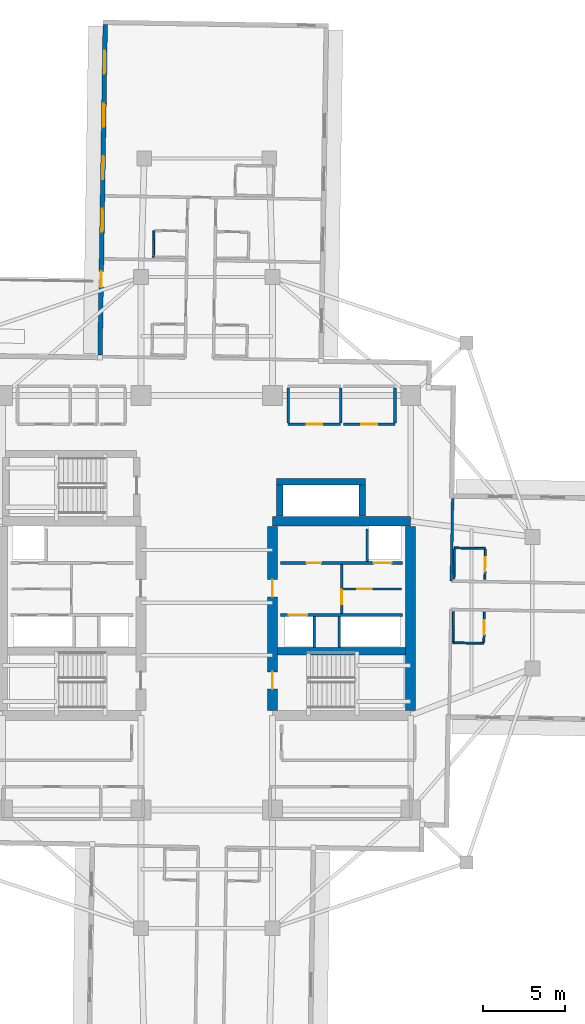
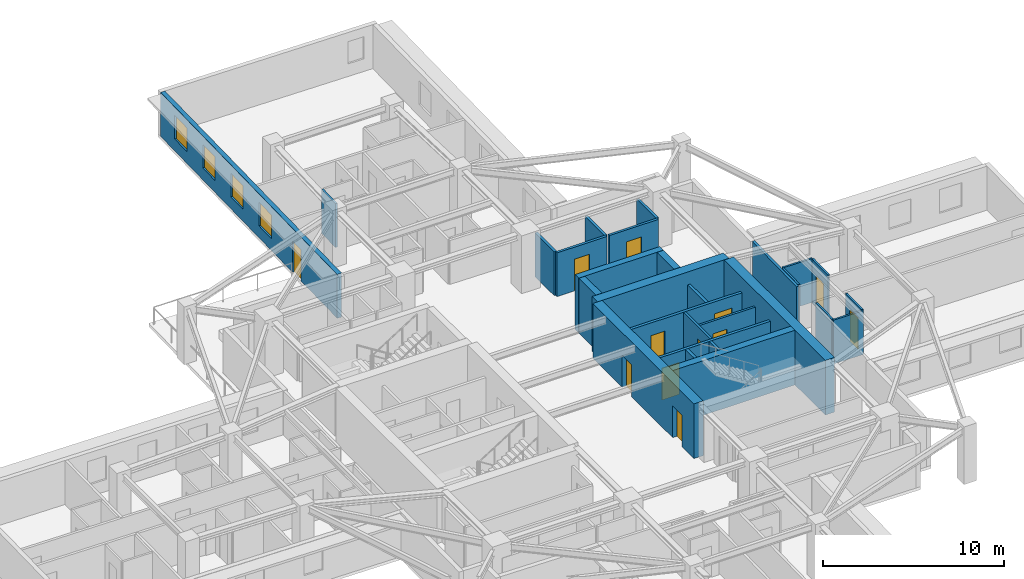
# One storey, part 6 of 13: 28 walls, 12 doors, 4 windows, 16 openings.
"""IFC4 building model written with IfcOpenShell, lengths in metres."""

from ifc_helpers import new_model, si_unit, direction, frame, frame_2d, origin, place, context, subcontext, project, spatial, rectangle, extrude, material, layer, layer_set, type_object, element, fill, save


model = new_model("IFC4")

# Units and contexts
model_context = context("Model", 3, precision=1e-05, world=origin(), true_north=direction((0.0, 1.0)))
body_context = subcontext(model_context, "Body", "Model", "MODEL_VIEW")
ifc_project = project(units=[si_unit("LENGTHUNIT", "METRE"), si_unit("AREAUNIT", "SQUARE_METRE"), si_unit("VOLUMEUNIT", "CUBIC_METRE"), si_unit("PLANEANGLEUNIT", "RADIAN"), si_unit("MASSUNIT", "GRAM", prefix="KILO")], contexts=[model_context])

# Site, building, storey
site_placement = place(None, origin())
site = spatial("IfcSite", under=ifc_project, at=site_placement, CompositionType="ELEMENT")
building_placement = place(site_placement, origin())
building = spatial("IfcBuilding", under=site, at=building_placement, Name="Qingluan Cross Belvedere", CompositionType="ELEMENT")
storey_placement = place(building_placement, frame((0.0, 0.0, 148.800048828125)))
storey = spatial("IfcBuildingStorey", under=building, at=storey_placement, Name="L37", CompositionType="ELEMENT", Elevation=148.800048828125)

# Walls
ifc_material_1 = material(Name="Concrete C50", Category="concrete")
ifc_layer_1 = layer(ifc_material_1, 0.449951171875, Name="CoreShearWall_450")
ifc_layer_set_1 = layer_set([ifc_layer_1], Name="Concrete C50")
wall_type_1 = type_object("IfcWallType", Name="CoreShearWall_450", PredefinedType="SHEAR", material=ifc_layer_set_1)
wall_1_placement = place(storey_placement, frame((4.304931640625, -2.9599609375, 0.0), z_axis=(0.0, 0.0, 1.0), x_axis=(1.0, 0.0, 0.0)))
element("IfcWall", 1, at=wall_1_placement, inside=storey, type_object=wall_type_1, Name="Split core E shear wall L37-M", PredefinedType="SHEAR", context=body_context, shape_type="SweptSolid", body=[
    extrude(rectangle(XDim=7.7900390625, YDim=0.449951171875, at=frame_2d((3.89501953125, 0.0))), origin(), (0.0, 0.0, 1.0), 3.699951171875),
])
wall_2_placement = place(storey_placement, frame((4.449951171875, 5.2548828125, 0.0), z_axis=(0.0, 0.0, 1.0), x_axis=(0.0, 1.0, 0.0)))
element("IfcWall", 2, at=wall_2_placement, inside=storey, type_object=wall_type_1, Name="Express shuttle core wall L37-W", PredefinedType="SHEAR", context=body_context, shape_type="SweptSolid", body=[
    extrude(rectangle(XDim=1.885009765625, YDim=0.39990234375, at=frame_2d((0.9423828125, 0.0))), origin(), (0.0, 0.0, 1.0), 3.699951171875),
])
wall_3_placement = place(storey_placement, frame((4.25, 7.35009765625, 0.0), z_axis=(0.0, 0.0, 1.0), x_axis=(1.0, 0.0, 0.0)))
element("IfcWall", 3, at=wall_3_placement, inside=storey, type_object=wall_type_1, Name="Express shuttle core wall L37-N", PredefinedType="SHEAR", context=body_context, shape_type="SweptSolid", body=[
    extrude(rectangle(XDim=5.39990234375, YDim=0.39990234375, at=frame_2d((2.699951171875, 0.0))), origin(), (0.0, 0.0, 1.0), 3.699951171875),
])
wall_4_placement = place(storey_placement, frame((9.449951171875, 5.2548828125, 0.0), z_axis=(0.0, 0.0, 1.0), x_axis=(0.0, 1.0, 0.0)))
element("IfcWall", 4, at=wall_4_placement, inside=storey, type_object=wall_type_1, Name="Express shuttle core wall L37-E", PredefinedType="SHEAR", context=body_context, shape_type="SweptSolid", body=[
    extrude(rectangle(XDim=1.885009765625, YDim=0.39990234375, at=frame_2d((0.9423828125, 0.0))), origin(), (0.0, 0.0, 1.0), 3.699951171875),
])
ifc_material_2 = material(Name="Concrete C60", Category="concrete")
ifc_layer_2 = layer(ifc_material_2, 0.60009765625, Name="CoreShearWall_600")
ifc_layer_set_2 = layer_set([ifc_layer_2], Name="Concrete C60")
wall_type_2 = type_object("IfcWallType", Name="CoreShearWall_600", PredefinedType="SHEAR", material=ifc_layer_set_2)
wall_5_placement = place(storey_placement, frame((4.0, 4.949951171875, 0.0), z_axis=(0.0, 0.0, 1.0), x_axis=(1.0, 0.0, 0.0)))
element("IfcWall", 5, at=wall_5_placement, inside=storey, type_object=wall_type_2, Name="Split core E shear wall L37-N", PredefinedType="SHEAR", context=body_context, shape_type="SweptSolid", body=[
    extrude(rectangle(XDim=8.39990234375, YDim=0.60009765625, at=frame_2d((4.199951171875, 0.0))), origin(), (0.0, 0.0, 1.0), 3.699951171875),
])

# Wall, openings, doors
wall_6_placement = place(storey_placement, frame((4.0, -6.544921875, 0.0), z_axis=(0.0, 0.0, 1.0), x_axis=(0.0, 1.0, 0.0)))
wall_6 = element("IfcWall", 6, at=wall_6_placement, inside=storey, type_object=wall_type_2, Name="Split core E shear wall L37-W", PredefinedType="SHEAR", context=body_context, shape_type="SweptSolid", body=[
    extrude(rectangle(XDim=11.18994140625, YDim=0.60009765625, at=frame_2d((5.594970703125, 0.0))), origin(), (0.0, 0.0, 1.0), 3.699951171875),
])
opening_1_placement = place(wall_6_placement, frame((1.294921875, 0.0, 0.0)))
opening_1 = element("IfcOpeningElement", 7, at=opening_1_placement, cuts=wall_6, Name="Opening FD-B11", PredefinedType="OPENING", context=body_context, shape_type="SweptSolid", body=[
    extrude(rectangle(XDim=1.050048828125, YDim=2.14990234375, at=frame_2d((0.52490234375, 1.074951171875))), frame((0.0, 0.31005859375, 0.0), z_axis=(0.0, -1.0, 0.0), x_axis=(1.0, 0.0, 0.0)), (0.0, 0.0, 1.0), 0.6201171875),
])
opening_2_placement = place(wall_6_placement, frame((6.89501953125, 0.0, 0.0)))
opening_2 = element("IfcOpeningElement", 8, at=opening_2_placement, cuts=wall_6, Name="Opening FD-B11", PredefinedType="OPENING", context=body_context, shape_type="SweptSolid", body=[
    extrude(rectangle(XDim=1.050048828125, YDim=2.14990234375, at=frame_2d((0.52490234375, 1.074951171875))), frame((0.0, 0.31005859375, 0.0), z_axis=(0.0, -1.0, 0.0), x_axis=(1.0, 0.0, 0.0)), (0.0, 0.0, 1.0), 0.6201171875),
])
ifc_material_3 = material(Name="Steel Class B smoke-seal fire door", Category="steel")
door_type_1 = type_object("IfcDoorType", Name="StairLobbyFireDoor_FDB", OperationType="NOTDEFINED", PredefinedType="DOOR", material=ifc_material_3)
door_1_placement = place(opening_1_placement, origin())
door_1 = element("IfcDoor", 9, at=door_1_placement, inside=storey, type_object=door_type_1, Name="Smoke-proof stair ST2 fire door L37", OperationType="SINGLE_SWING_RIGHT", OverallHeight=2.14990234375, OverallWidth=1.050048828125, PredefinedType="DOOR", context=body_context, shape_type="SweptSolid", body=[
    extrude(rectangle(XDim=1.050048828125, YDim=2.14990234375, at=frame_2d((0.52490234375, 1.074951171875))), frame((0.0, 0.02490234375, 0.0), z_axis=(0.0, -1.0, 0.0), x_axis=(1.0, 0.0, 0.0)), (0.0, 0.0, 1.0), 0.050048828125),
])
fill(opening_1, door_1)
door_2_placement = place(opening_2_placement, origin())
door_2 = element("IfcDoor", 10, at=door_2_placement, inside=storey, type_object=door_type_1, Name="Firefighting lobby East fire door L37", OperationType="SINGLE_SWING_RIGHT", OverallHeight=2.14990234375, OverallWidth=1.050048828125, PredefinedType="DOOR", context=body_context, shape_type="SweptSolid", body=[
    extrude(rectangle(XDim=1.050048828125, YDim=2.14990234375, at=frame_2d((0.52490234375, 1.074951171875))), frame((0.0, 0.02490234375, 0.0), z_axis=(0.0, -1.0, 0.0), x_axis=(1.0, 0.0, 0.0)), (0.0, 0.0, 1.0), 0.050048828125),
])
fill(opening_2, door_2)

# Wall
wall_7_placement = place(storey_placement, frame((12.39990234375, -6.544921875, 0.0), z_axis=(0.0, 0.0, 1.0), x_axis=(0.0, 1.0, 0.0)))
element("IfcWall", 11, at=wall_7_placement, inside=storey, type_object=wall_type_2, Name="Split core E shear wall L37-E", PredefinedType="SHEAR", context=body_context, shape_type="SweptSolid", body=[
    extrude(rectangle(XDim=11.18994140625, YDim=0.60009765625, at=frame_2d((5.594970703125, 0.0))), origin(), (0.0, 0.0, 1.0), 3.699951171875),
])

# Wall, opening, door
ifc_material_4 = material(Name="Gypsum plasterboard on steel stud acoustic partition", Category="steel")
ifc_layer_3 = layer(ifc_material_4, 0.159912109375, Name="CorridorPartition_160")
ifc_layer_set_3 = layer_set([ifc_layer_3], Name="Gypsum plasterboard on steel stud acoustic partition")
wall_type_3 = type_object("IfcWallType", Name="CorridorPartition_160", PredefinedType="PARTITIONING", material=ifc_layer_set_3)
wall_8_placement = place(storey_placement, frame((8.298095703125, 0.830078125, 0.0), z_axis=(0.0, 0.0, 1.0), x_axis=(1.0, 0.0, 0.0)))
wall_8 = element("IfcWall", 12, at=wall_8_placement, inside=storey, type_object=wall_type_3, Name="Partition L37:e", PredefinedType="PARTITIONING", context=body_context, shape_type="SweptSolid", body=[
    extrude(rectangle(XDim=3.552001953125, YDim=0.139892578125, at=frame_2d((1.77587890625, 0.0))), origin(), (0.0, 0.0, 1.0), 2.9599609375),
])
opening_3_placement = place(wall_8_placement, frame((0.85009765625, 0.0, 0.0)))
opening_3 = element("IfcOpeningElement", 13, at=opening_3_placement, cuts=wall_8, Name="Opening FD-B10", PredefinedType="OPENING", context=body_context, shape_type="SweptSolid", body=[
    extrude(rectangle(XDim=0.8798828125, YDim=2.10009765625, at=frame_2d((0.43994140625, 1.050048828125))), frame((0.0, 0.079833984375, 0.0), z_axis=(0.0, -1.0, 0.0), x_axis=(1.0, 0.0, 0.0)), (0.0, 0.0, 1.0), 0.159912109375),
])
ifc_material_5 = material(Name="Steel Class B service fire door", Category="steel")
door_type_2 = type_object("IfcDoorType", Name="RiserServiceFireDoor_FDB", OperationType="NOTDEFINED", PredefinedType="DOOR", material=ifc_material_5)
door_3_placement = place(opening_3_placement, origin())
door_3 = element("IfcDoor", 14, at=door_3_placement, inside=storey, type_object=door_type_2, Name="Service closet inner door L37", OperationType="SINGLE_SWING_LEFT", OverallHeight=2.10009765625, OverallWidth=0.8798828125, PredefinedType="DOOR", context=body_context, shape_type="SweptSolid", body=[
    extrude(rectangle(XDim=0.8798828125, YDim=2.10009765625, at=frame_2d((0.43994140625, 1.050048828125))), frame((0.0, 0.02490234375, 0.0), z_axis=(0.0, -1.0, 0.0), x_axis=(1.0, 0.0, 0.0)), (0.0, 0.0, 1.0), 0.050048828125),
])
fill(opening_3, door_3)

wall_9_placement = place(storey_placement, frame((4.949951171875, 10.85009765625, 0.0), z_axis=(0.0, 0.0, 1.0), x_axis=(1.0, 0.0, 0.0)))
wall_9 = element("IfcWall", 15, at=wall_9_placement, inside=storey, type_object=wall_type_3, Name="Partition L37:q_ne1:S", PredefinedType="PARTITIONING", context=body_context, shape_type="SweptSolid", body=[
    extrude(rectangle(XDim=3.199951171875, YDim=0.159912109375, at=frame_2d((1.60009765625, 0.0))), origin(), (0.0, 0.0, 1.0), 2.9599609375),
])
opening_4_placement = place(wall_9_placement, frame((1.1201171875, 0.0, 0.0)))
opening_4 = element("IfcOpeningElement", 16, at=opening_4_placement, cuts=wall_9, Name="Opening GD-10", PredefinedType="OPENING", context=body_context, shape_type="SweptSolid", body=[
    extrude(rectangle(XDim=0.9599609375, YDim=2.14990234375, at=frame_2d((0.47998046875, 1.074951171875))), frame((0.0, 0.08984375, 0.0), z_axis=(0.0, -1.0, 0.0), x_axis=(1.0, 0.0, 0.0)), (0.0, 0.0, 1.0), 0.179931640625),
])
ifc_material_6 = material(Name="Timber oak fire-rated acoustic guestroom door", Category="wood")
door_type_3 = type_object("IfcDoorType", Name="GuestEntryDoor_FD60", OperationType="NOTDEFINED", PredefinedType="DOOR", material=ifc_material_6)
door_4_placement = place(opening_4_placement, origin())
door_4 = element("IfcDoor", 17, at=door_4_placement, inside=storey, type_object=door_type_3, Name="Boardroom seminar suite L37 door", OperationType="SINGLE_SWING_LEFT", OverallHeight=2.14990234375, OverallWidth=0.9599609375, PredefinedType="DOOR", context=body_context, shape_type="SweptSolid", body=[
    extrude(rectangle(XDim=0.9599609375, YDim=2.14990234375, at=frame_2d((0.47998046875, 1.074951171875))), frame((0.0, 0.02490234375, 0.0), z_axis=(0.0, -1.0, 0.0), x_axis=(1.0, 0.0, 0.0)), (0.0, 0.0, 1.0), 0.050048828125),
])
fill(opening_4, door_4)

# Walls
for number, where, z_axis, x_axis, name in (
    (18, (4.949951171875, 10.93505859375, 0.0), (0.0, 0.0, 1.0), (0.0, 1.0, 0.0), "Partition L37:q_ne1:W"),
    (19, (8.14990234375, 10.93505859375, 0.0), (0.0, 0.0, 1.0), (0.0, 1.0, 0.0), "Partition L37:q_ne1:E"),
):
    element("IfcWall", number, at=place(storey_placement, frame(where, z_axis=z_axis, x_axis=x_axis)), inside=storey, type_object=wall_type_3, Name=name, PredefinedType="PARTITIONING", context=body_context, shape_type="SweptSolid", body=[
        extrude(rectangle(XDim=2.1298828125, YDim=0.159912109375, at=frame_2d((1.06494140625, 0.0))), origin(), (0.0, 0.0, 1.0), 2.9599609375),
    ])

# Wall, opening, door
wall_10_placement = place(storey_placement, frame((8.31005859375, 10.85009765625, 0.0), z_axis=(0.0, 0.0, 1.0), x_axis=(1.0, 0.0, 0.0)))
wall_10 = element("IfcWall", 20, at=wall_10_placement, inside=storey, type_object=wall_type_3, Name="Partition L37:q_ne2:S", PredefinedType="PARTITIONING", context=body_context, shape_type="SweptSolid", body=[
    extrude(rectangle(XDim=3.139892578125, YDim=0.159912109375, at=frame_2d((1.56982421875, 0.0))), origin(), (0.0, 0.0, 1.0), 2.9599609375),
])
opening_5_placement = place(wall_10_placement, frame((1.090087890625, 0.0, 0.0)))
opening_5 = element("IfcOpeningElement", 21, at=opening_5_placement, cuts=wall_10, Name="Opening GD-10", PredefinedType="OPENING", context=body_context, shape_type="SweptSolid", body=[
    extrude(rectangle(XDim=0.9599609375, YDim=2.14990234375, at=frame_2d((0.47998046875, 1.074951171875))), frame((0.0, 0.08984375, 0.0), z_axis=(0.0, -1.0, 0.0), x_axis=(1.0, 0.0, 0.0)), (0.0, 0.0, 1.0), 0.179931640625),
])
door_5_placement = place(opening_5_placement, origin())
door_5 = element("IfcDoor", 22, at=door_5_placement, inside=storey, type_object=door_type_3, Name="Northeast quiet study L37 door", OperationType="SINGLE_SWING_RIGHT", OverallHeight=2.14990234375, OverallWidth=0.9599609375, PredefinedType="DOOR", context=body_context, shape_type="SweptSolid", body=[
    extrude(rectangle(XDim=0.9599609375, YDim=2.14990234375, at=frame_2d((0.47998046875, 1.074951171875))), frame((0.0, 0.02490234375, 0.0), z_axis=(0.0, -1.0, 0.0), x_axis=(1.0, 0.0, 0.0)), (0.0, 0.0, 1.0), 0.050048828125),
])
fill(opening_5, door_5)

# Walls
wall_11_placement = place(storey_placement, frame((11.449951171875, 10.93505859375, 0.0), z_axis=(0.0, 0.0, 1.0), x_axis=(0.0, 1.0, 0.0)))
element("IfcWall", 23, at=wall_11_placement, inside=storey, type_object=wall_type_3, Name="Partition L37:q_ne2:E", PredefinedType="PARTITIONING", context=body_context, shape_type="SweptSolid", body=[
    extrude(rectangle(XDim=2.1298828125, YDim=0.159912109375, at=frame_2d((1.06494140625, 0.0))), origin(), (0.0, 0.0, 1.0), 2.9599609375),
])
wall_12_placement = place(storey_placement, frame((14.872314453125, 1.306640625, 0.0), z_axis=(0.0, 0.0, 1.0), x_axis=(0.015720106939, 0.999876431484, 0.0)))
element("IfcWall", 24, at=wall_12_placement, inside=storey, type_object=wall_type_3, Name="Partition L37:E:s0", PredefinedType="PARTITIONING", context=body_context, shape_type="SweptSolid", body=[
    extrude(rectangle(XDim=5.031982421875, YDim=0.159912109375, at=frame_2d((2.51611328125, 0.0))), origin(), (0.0, 0.0, 1.0), 2.9599609375),
])

# Wall, opening, door
ifc_material_7 = material(Name="Moisture-resistant gypsum board lining")
ifc_layer_4 = layer(ifc_material_7, 0.1201171875, Name="EnsuiteWetPartition_120")
ifc_layer_set_4 = layer_set([ifc_layer_4], Name="Moisture-resistant gypsum board lining")
wall_type_4 = type_object("IfcWallType", Name="EnsuiteWetPartition_120", PredefinedType="PARTITIONING", material=ifc_layer_set_4)
wall_13_placement = place(storey_placement, frame((16.914306640625, 1.41455078125, 0.0), z_axis=(0.0, 0.0, 1.0), x_axis=(0.015694337248, 0.999876836305, 0.0)))
wall_13 = element("IfcWall", 25, at=wall_13_placement, inside=storey, type_object=wall_type_4, Name="Partition L37:E:bs0_0", PredefinedType="PARTITIONING", context=body_context, shape_type="SweptSolid", body=[
    extrude(rectangle(XDim=1.820068359375, YDim=0.1201171875, at=frame_2d((0.91015625, 0.0))), origin(), (0.0, 0.0, 1.0), 2.9599609375),
])
opening_6_placement = place(wall_13_placement, frame((0.469970703125, 0.0, 0.0)))
opening_6 = element("IfcOpeningElement", 26, at=opening_6_placement, cuts=wall_13, Name="Opening BD-09", PredefinedType="OPENING", context=body_context, shape_type="SweptSolid", body=[
    extrude(rectangle(XDim=0.8798828125, YDim=2.10009765625, at=frame_2d((0.43994140625, 1.050048828125))), frame((0.0, 0.070068359375, 0.0), z_axis=(0.0, -1.0, 0.0), x_axis=(1.0, 0.0, 0.0)), (0.0, 0.0, 1.0), 0.14013671875),
])
ifc_material_8 = material(Name="Moisture-sealed timber en-suite door", Category="wood")
door_type_4 = type_object("IfcDoorType", Name="BathroomDoor_880", OperationType="NOTDEFINED", PredefinedType="DOOR", material=ifc_material_8)
door_6_placement = place(opening_6_placement, origin())
door_6 = element("IfcDoor", 27, at=door_6_placement, inside=storey, type_object=door_type_4, Name="Bathroom door 3701", OperationType="SINGLE_SWING_LEFT", OverallHeight=2.10009765625, OverallWidth=0.8798828125, PredefinedType="DOOR", context=body_context, shape_type="SweptSolid", body=[
    extrude(rectangle(XDim=0.8798828125, YDim=2.10009765625, at=frame_2d((0.43994140625, 1.050048828125))), frame((0.0, 0.02490234375, 0.0), z_axis=(0.0, -1.0, 0.0), x_axis=(1.0, 0.0, 0.0)), (0.0, 0.0, 1.0), 0.050048828125),
])
fill(opening_6, door_6)

# Walls
wall_14_placement = place(storey_placement, frame((15.034423828125, 1.444091796875, 0.0), z_axis=(0.0, 0.0, 1.0), x_axis=(0.015694337248, 0.999876836305, 0.0)))
element("IfcWall", 28, at=wall_14_placement, inside=storey, type_object=wall_type_4, Name="Partition L37:E:bw0_0", PredefinedType="PARTITIONING", context=body_context, shape_type="SweptSolid", body=[
    extrude(rectangle(XDim=1.820068359375, YDim=0.1201171875, at=frame_2d((0.91015625, 0.0))), origin(), (0.0, 0.0, 1.0), 2.9599609375),
])
wall_15_placement = place(storey_placement, frame((15.064208984375, 3.328857421875, 0.0), z_axis=(0.0, 0.0, 1.0), x_axis=(0.99987652141, -0.015714386166, 0.0)))
element("IfcWall", 29, at=wall_15_placement, inside=storey, type_object=wall_type_4, Name="Partition L37:E:bn0_0", PredefinedType="PARTITIONING", context=body_context, shape_type="SweptSolid", body=[
    extrude(rectangle(XDim=1.8798828125, YDim=0.1201171875, at=frame_2d((0.93994140625, 0.0))), origin(), (0.0, 0.0, 1.0), 2.9599609375),
])

# Wall, opening, door
wall_16_placement = place(storey_placement, frame((16.854248046875, -2.405029296875, 0.0), z_axis=(0.0, 0.0, 1.0), x_axis=(0.015694337248, 0.999876836305, 0.0)))
wall_16 = element("IfcWall", 30, at=wall_16_placement, inside=storey, type_object=wall_type_4, Name="Partition L37:E:bs1_0", PredefinedType="PARTITIONING", context=body_context, shape_type="SweptSolid", body=[
    extrude(rectangle(XDim=1.820068359375, YDim=0.1201171875, at=frame_2d((0.91015625, 0.0))), origin(), (0.0, 0.0, 1.0), 2.9599609375),
])
opening_7_placement = place(wall_16_placement, frame((0.469970703125, 0.0, 0.0)))
opening_7 = element("IfcOpeningElement", 31, at=opening_7_placement, cuts=wall_16, Name="Opening BD-09", PredefinedType="OPENING", context=body_context, shape_type="SweptSolid", body=[
    extrude(rectangle(XDim=0.8798828125, YDim=2.10009765625, at=frame_2d((0.43994140625, 1.050048828125))), frame((0.0, 0.070068359375, 0.0), z_axis=(0.0, -1.0, 0.0), x_axis=(1.0, 0.0, 0.0)), (0.0, 0.0, 1.0), 0.14013671875),
])
door_7_placement = place(opening_7_placement, origin())
door_7 = element("IfcDoor", 32, at=door_7_placement, inside=storey, type_object=door_type_4, Name="Bathroom door 3702", OperationType="SINGLE_SWING_LEFT", OverallHeight=2.10009765625, OverallWidth=0.8798828125, PredefinedType="DOOR", context=body_context, shape_type="SweptSolid", body=[
    extrude(rectangle(XDim=0.8798828125, YDim=2.10009765625, at=frame_2d((0.43994140625, 1.050048828125))), frame((0.0, 0.02490234375, 0.0), z_axis=(0.0, -1.0, 0.0), x_axis=(1.0, 0.0, 0.0)), (0.0, 0.0, 1.0), 0.050048828125),
])
fill(opening_7, door_7)

# Walls
wall_17_placement = place(storey_placement, frame((14.974609375, -2.37548828125, 0.0), z_axis=(0.0, 0.0, 1.0), x_axis=(0.015694337248, 0.999876836305, 0.0)))
element("IfcWall", 33, at=wall_17_placement, inside=storey, type_object=wall_type_4, Name="Partition L37:E:bw1_0", PredefinedType="PARTITIONING", context=body_context, shape_type="SweptSolid", body=[
    extrude(rectangle(XDim=1.820068359375, YDim=0.1201171875, at=frame_2d((0.91015625, 0.0))), origin(), (0.0, 0.0, 1.0), 2.9599609375),
])
wall_18_placement = place(storey_placement, frame((14.973388671875, -2.4404296875, 0.0), z_axis=(0.0, 0.0, 1.0), x_axis=(0.999876553475, -0.01571234584, 0.0)))
element("IfcWall", 34, at=wall_18_placement, inside=storey, type_object=wall_type_4, Name="Partition L37:E:bc1_0", PredefinedType="PARTITIONING", context=body_context, shape_type="SweptSolid", body=[
    extrude(rectangle(XDim=1.880126953125, YDim=0.1201171875, at=frame_2d((0.93994140625, 0.0))), origin(), (0.0, 0.0, 1.0), 2.9599609375),
])
wall_19_placement = place(storey_placement, frame((-3.2353515625, 21.013427734375, 0.0), z_axis=(0.0, 0.0, 1.0), x_axis=(0.015716050513, 0.999876495251, 0.0)))
element("IfcWall", 35, at=wall_19_placement, inside=storey, type_object=wall_type_4, Name="Partition L37:N:bc1_1", PredefinedType="PARTITIONING", context=body_context, shape_type="SweptSolid", body=[
    extrude(rectangle(XDim=1.60009765625, YDim=0.1201171875, at=frame_2d((0.800048828125, 0.0))), origin(), (0.0, 0.0, 1.0), 2.9599609375),
])

# Wall, openings, windows, door
ifc_material_9 = material(Name="Precast concrete C45", Category="concrete")
ifc_layer_5 = layer(ifc_material_9, 0.280029296875, Name="PrecastFacadeWall_280")
ifc_layer_set_5 = layer_set([ifc_layer_5], Name="Precast concrete C45")
wall_type_5 = type_object("IfcWallType", Name="PrecastFacadeWall_280", PredefinedType="STANDARD", material=ifc_layer_set_5)
wall_20_placement = place(storey_placement, frame((-6.168701171875, 35.14111328125, 0.0), z_axis=(0.0, 0.0, 1.0), x_axis=(-0.01571739401, -0.999876474133, 0.0)))
wall_20 = element("IfcWall", 36, at=wall_20_placement, inside=storey, type_object=wall_type_5, Name="Facade wall L37-NB", PredefinedType="STANDARD", context=body_context, shape_type="SweptSolid", body=[
    extrude(rectangle(XDim=20.099853515625, YDim=0.280029296875, at=frame_2d((10.0498046875, 0.0))), origin(), (0.0, 0.0, 1.0), 2.969970703125),
])
opening_8_placement = place(wall_20_placement, frame((1.60009765625, 0.0, 0.800048828125)))
opening_8 = element("IfcOpeningElement", 37, at=opening_8_placement, cuts=wall_20, Name="Opening W-01", PredefinedType="OPENING", context=body_context, shape_type="SweptSolid", body=[
    extrude(rectangle(XDim=1.39990234375, YDim=1.60009765625, at=frame_2d((0.699951171875, 0.800048828125))), frame((0.0, 0.14990234375, 0.0), z_axis=(0.0, -1.0, 0.0), x_axis=(1.0, 0.0, 0.0)), (0.0, 0.0, 1.0), 0.300048828125),
])
opening_9_placement = place(wall_20_placement, frame((4.800048828125, 0.0, 0.800048828125)))
opening_9 = element("IfcOpeningElement", 38, at=opening_9_placement, cuts=wall_20, Name="Opening W-01", PredefinedType="OPENING", context=body_context, shape_type="SweptSolid", body=[
    extrude(rectangle(XDim=1.39990234375, YDim=1.60009765625, at=frame_2d((0.699951171875, 0.800048828125))), frame((0.0, 0.14990234375, 0.0), z_axis=(0.0, -1.0, 0.0), x_axis=(1.0, 0.0, 0.0)), (0.0, 0.0, 1.0), 0.300048828125),
])
opening_10_placement = place(wall_20_placement, frame((8.0, 0.0, 0.800048828125)))
opening_10 = element("IfcOpeningElement", 39, at=opening_10_placement, cuts=wall_20, Name="Opening W-01", PredefinedType="OPENING", context=body_context, shape_type="SweptSolid", body=[
    extrude(rectangle(XDim=1.39990234375, YDim=1.60009765625, at=frame_2d((0.699951171875, 0.800048828125))), frame((0.0, 0.14990234375, 0.0), z_axis=(0.0, -1.0, 0.0), x_axis=(1.0, 0.0, 0.0)), (0.0, 0.0, 1.0), 0.300048828125),
])
opening_11_placement = place(wall_20_placement, frame((11.199951171875, 0.0, 0.800048828125)))
opening_11 = element("IfcOpeningElement", 40, at=opening_11_placement, cuts=wall_20, Name="Opening W-01", PredefinedType="OPENING", context=body_context, shape_type="SweptSolid", body=[
    extrude(rectangle(XDim=1.39990234375, YDim=1.60009765625, at=frame_2d((0.699951171875, 0.800048828125))), frame((0.0, 0.14990234375, 0.0), z_axis=(0.0, -1.0, 0.0), x_axis=(1.0, 0.0, 0.0)), (0.0, 0.0, 1.0), 0.300048828125),
])
opening_12_placement = place(wall_20_placement, frame((15.0, 0.0, 0.0)))
opening_12 = element("IfcOpeningElement", 41, at=opening_12_placement, cuts=wall_20, Name="Opening WD-10", PredefinedType="OPENING", context=body_context, shape_type="SweptSolid", body=[
    extrude(rectangle(XDim=0.9599609375, YDim=2.10009765625, at=frame_2d((0.47998046875, 1.050048828125))), frame((0.0, 0.14990234375, 0.0), z_axis=(0.0, -1.0, 0.0), x_axis=(1.0, 0.0, 0.0)), (0.0, 0.0, 1.0), 0.300048828125),
])
ifc_material_10 = material(Name="Thermally broken triple Low-E glass in aluminium frame", Category="aluminium")
window_type = type_object("IfcWindowType", Name="TriRibbonWin_1400x1600", PartitioningType="SINGLE_PANEL", PredefinedType="WINDOW", material=ifc_material_10)
window_1_placement = place(opening_8_placement, origin())
window_1 = element("IfcWindow", 42, at=window_1_placement, inside=storey, type_object=window_type, Name="Ribbon window L37-NB-1", OverallHeight=1.60009765625, OverallWidth=1.39990234375, PartitioningType="SINGLE_PANEL", PredefinedType="WINDOW", context=body_context, shape_type="SweptSolid", body=[
    extrude(rectangle(XDim=1.39990234375, YDim=1.60009765625, at=frame_2d((0.699951171875, 0.800048828125))), frame((0.0, 0.030029296875, 0.0), z_axis=(0.0, -1.0, 0.0), x_axis=(1.0, 0.0, 0.0)), (0.0, 0.0, 1.0), 0.06005859375),
])
fill(opening_8, window_1)
window_2_placement = place(opening_9_placement, origin())
window_2 = element("IfcWindow", 43, at=window_2_placement, inside=storey, type_object=window_type, Name="Ribbon window L37-NB-2", OverallHeight=1.60009765625, OverallWidth=1.39990234375, PartitioningType="SINGLE_PANEL", PredefinedType="WINDOW", context=body_context, shape_type="SweptSolid", body=[
    extrude(rectangle(XDim=1.39990234375, YDim=1.60009765625, at=frame_2d((0.699951171875, 0.800048828125))), frame((0.0, 0.030029296875, 0.0), z_axis=(0.0, -1.0, 0.0), x_axis=(1.0, 0.0, 0.0)), (0.0, 0.0, 1.0), 0.06005859375),
])
fill(opening_9, window_2)
window_3_placement = place(opening_10_placement, origin())
window_3 = element("IfcWindow", 44, at=window_3_placement, inside=storey, type_object=window_type, Name="Ribbon window L37-NB-3", OverallHeight=1.60009765625, OverallWidth=1.39990234375, PartitioningType="SINGLE_PANEL", PredefinedType="WINDOW", context=body_context, shape_type="SweptSolid", body=[
    extrude(rectangle(XDim=1.39990234375, YDim=1.60009765625, at=frame_2d((0.699951171875, 0.800048828125))), frame((0.0, 0.030029296875, 0.0), z_axis=(0.0, -1.0, 0.0), x_axis=(1.0, 0.0, 0.0)), (0.0, 0.0, 1.0), 0.06005859375),
])
fill(opening_10, window_3)
window_4_placement = place(opening_11_placement, origin())
window_4 = element("IfcWindow", 45, at=window_4_placement, inside=storey, type_object=window_type, Name="Ribbon window L37-NB-4", OverallHeight=1.60009765625, OverallWidth=1.39990234375, PartitioningType="SINGLE_PANEL", PredefinedType="WINDOW", context=body_context, shape_type="SweptSolid", body=[
    extrude(rectangle(XDim=1.39990234375, YDim=1.60009765625, at=frame_2d((0.699951171875, 0.800048828125))), frame((0.0, 0.030029296875, 0.0), z_axis=(0.0, -1.0, 0.0), x_axis=(1.0, 0.0, 0.0)), (0.0, 0.0, 1.0), 0.06005859375),
])
fill(opening_11, window_4)
ifc_material_11 = material(Name="Thermally broken aluminium and Low-E glass", Category="aluminium")
door_type_5 = type_object("IfcDoorType", Name="WinterGardenDoor_096", OperationType="NOTDEFINED", PredefinedType="DOOR", material=ifc_material_11)
door_8_placement = place(opening_12_placement, origin())
door_8 = element("IfcDoor", 46, at=door_8_placement, inside=storey, type_object=door_type_5, Name="Outdoor terrace access door L37-spi", OperationType="SINGLE_SWING_RIGHT", OverallHeight=2.10009765625, OverallWidth=0.9599609375, PredefinedType="DOOR", context=body_context, shape_type="SweptSolid", body=[
    extrude(rectangle(XDim=0.9599609375, YDim=2.10009765625, at=frame_2d((0.47998046875, 1.050048828125))), frame((0.0, 0.02490234375, 0.0), z_axis=(0.0, -1.0, 0.0), x_axis=(1.0, 0.0, 0.0)), (0.0, 0.0, 1.0), 0.050048828125),
])
fill(opening_12, door_8)

# Wall, openings, doors
ifc_material_12 = material(Name="Concrete C40", Category="concrete")
ifc_layer_6 = layer(ifc_material_12, 0.219970703125, Name="ShaftEnclosureWall_250")
ifc_layer_set_6 = layer_set([ifc_layer_6], Name="Concrete C40")
wall_type_6 = type_object("IfcWallType", Name="ShaftEnclosureWall_250", PredefinedType="SOLIDWALL", material=ifc_layer_set_6)
wall_21_placement = place(storey_placement, frame((4.47998046875, 2.409912109375, 0.0), z_axis=(0.0, 0.0, 1.0), x_axis=(1.0, 0.0, 0.0)))
wall_21 = element("IfcWall", 47, at=wall_21_placement, inside=storey, type_object=wall_type_6, Name="Core-E north hoistway wall L37", PredefinedType="SOLIDWALL", context=body_context, shape_type="SweptSolid", body=[
    extrude(rectangle(XDim=7.419921875, YDim=0.179931640625, at=frame_2d((3.7099609375, 0.0))), origin(), (0.0, 0.0, 1.0), 2.9599609375),
])
opening_13_placement = place(wall_21_placement, frame((5.669921875, 0.0, 0.0)))
opening_13 = element("IfcOpeningElement", 48, at=opening_13_placement, cuts=wall_21, Name="Opening LD-11", PredefinedType="OPENING", context=body_context, shape_type="SweptSolid", body=[
    extrude(rectangle(XDim=1.10009765625, YDim=2.14990234375, at=frame_2d((0.550048828125, 1.074951171875))), frame((0.0, 0.099853515625, 0.0), z_axis=(0.0, -1.0, 0.0), x_axis=(1.0, 0.0, 0.0)), (0.0, 0.0, 1.0), 0.199951171875),
])
opening_14_placement = place(wall_21_placement, frame((1.60009765625, 0.0, 0.0)))
opening_14 = element("IfcOpeningElement", 49, at=opening_14_placement, cuts=wall_21, Name="Opening FD-B10", PredefinedType="OPENING", context=body_context, shape_type="SweptSolid", body=[
    extrude(rectangle(XDim=0.8798828125, YDim=2.10009765625, at=frame_2d((0.43994140625, 1.050048828125))), frame((0.0, 0.099853515625, 0.0), z_axis=(0.0, -1.0, 0.0), x_axis=(1.0, 0.0, 0.0)), (0.0, 0.0, 1.0), 0.199951171875),
])
ifc_material_13 = material(Name="Brushed stainless steel centre-opening lift landing door", Category="steel")
door_type_6 = type_object("IfcDoorType", Name="LiftLandingSlidingDoor_1100", OperationType="DOUBLE_DOOR_SLIDING", PredefinedType="DOOR", material=ifc_material_13)
door_9_placement = place(opening_13_placement, origin())
door_9 = element("IfcDoor", 50, at=door_9_placement, inside=storey, type_object=door_type_6, Name="Lift landing sliding door FL2 L37", OperationType="DOUBLE_DOOR_SLIDING", OverallHeight=2.14990234375, OverallWidth=1.10009765625, PredefinedType="DOOR", context=body_context, shape_type="SweptSolid", body=[
    extrude(rectangle(XDim=1.10009765625, YDim=2.14990234375, at=frame_2d((0.550048828125, 1.074951171875))), frame((0.0, 0.02490234375, 0.0), z_axis=(0.0, -1.0, 0.0), x_axis=(1.0, 0.0, 0.0)), (0.0, 0.0, 1.0), 0.050048828125),
])
fill(opening_13, door_9)
door_10_placement = place(opening_14_placement, origin())
door_10 = element("IfcDoor", 51, at=door_10_placement, inside=storey, type_object=door_type_2, Name="Pantry room door E L37", OperationType="SINGLE_SWING_LEFT", OverallHeight=2.10009765625, OverallWidth=0.8798828125, PredefinedType="DOOR", context=body_context, shape_type="SweptSolid", body=[
    extrude(rectangle(XDim=0.8798828125, YDim=2.10009765625, at=frame_2d((0.43994140625, 1.050048828125))), frame((0.0, 0.02490234375, 0.0), z_axis=(0.0, -1.0, 0.0), x_axis=(1.0, 0.0, 0.0)), (0.0, 0.0, 1.0), 0.050048828125),
])
fill(opening_14, door_10)

# Wall, opening, door
wall_22_placement = place(storey_placement, frame((4.47998046875, -0.75, 0.0), z_axis=(0.0, 0.0, 1.0), x_axis=(1.0, 0.0, 0.0)))
wall_22 = element("IfcWall", 52, at=wall_22_placement, inside=storey, type_object=wall_type_6, Name="Core-E mid hoistway wall L37", PredefinedType="SOLIDWALL", context=body_context, shape_type="SweptSolid", body=[
    extrude(rectangle(XDim=7.419921875, YDim=0.179931640625, at=frame_2d((3.7099609375, 0.0))), origin(), (0.0, 0.0, 1.0), 2.9599609375),
])
opening_15_placement = place(wall_22_placement, frame((0.52001953125, 0.0, 0.0)))
opening_15 = element("IfcOpeningElement", 53, at=opening_15_placement, cuts=wall_22, Name="Opening LD-11", PredefinedType="OPENING", context=body_context, shape_type="SweptSolid", body=[
    extrude(rectangle(XDim=1.10009765625, YDim=2.14990234375, at=frame_2d((0.550048828125, 1.074951171875))), frame((0.0, 0.099853515625, 0.0), z_axis=(0.0, -1.0, 0.0), x_axis=(1.0, 0.0, 0.0)), (0.0, 0.0, 1.0), 0.199951171875),
])
door_11_placement = place(opening_15_placement, origin())
door_11 = element("IfcDoor", 54, at=door_11_placement, inside=storey, type_object=door_type_6, Name="Lift landing sliding door LP7 L37", OperationType="DOUBLE_DOOR_SLIDING", OverallHeight=2.14990234375, OverallWidth=1.10009765625, PredefinedType="DOOR", context=body_context, shape_type="SweptSolid", body=[
    extrude(rectangle(XDim=1.10009765625, YDim=2.14990234375, at=frame_2d((0.550048828125, 1.074951171875))), frame((0.0, 0.02490234375, 0.0), z_axis=(0.0, -1.0, 0.0), x_axis=(1.0, 0.0, 0.0)), (0.0, 0.0, 1.0), 0.050048828125),
])
fill(opening_15, door_11)

# Walls
wall_23_placement = place(storey_placement, frame((9.760009765625, 2.5, 0.0), z_axis=(0.0, 0.0, 1.0), x_axis=(0.0, 1.0, 0.0)))
element("IfcWall", 55, at=wall_23_placement, inside=storey, type_object=wall_type_6, Name="Hoistway enclosure divider FL2W L37", PredefinedType="SOLIDWALL", context=body_context, shape_type="SweptSolid", body=[
    extrude(rectangle(XDim=1.989990234375, YDim=0.179931640625, at=frame_2d((0.9951171875, 0.0))), origin(), (0.0, 0.0, 1.0), 2.9599609375),
])
for number, where, z_axis, x_axis, name in (
    (56, (6.5400390625, -2.72998046875, 0.0), (0.0, 0.0, 1.0), (0.0, 1.0, 0.0), "Hoistway enclosure divider LP7E L37"),
    (57, (8.06005859375, -2.72998046875, 0.0), (0.0, 0.0, 1.0), (0.0, 1.0, 0.0), "Hoistway enclosure divider LP9W L37"),
):
    element("IfcWall", number, at=place(storey_placement, frame(where, z_axis=z_axis, x_axis=x_axis)), inside=storey, type_object=wall_type_6, Name=name, PredefinedType="SOLIDWALL", context=body_context, shape_type="SweptSolid", body=[
        extrude(rectangle(XDim=1.889892578125, YDim=0.179931640625, at=frame_2d((0.94482421875, 0.0))), origin(), (0.0, 0.0, 1.0), 2.9599609375),
    ])

# Wall, opening, door
wall_24_placement = place(storey_placement, frame((8.219970703125, -0.64990234375, 0.0), z_axis=(0.0, 0.0, 1.0), x_axis=(0.0, 1.0, 0.0)))
wall_24 = element("IfcWall", 58, at=wall_24_placement, inside=storey, type_object=wall_type_6, Name="Core-E service corridor wall L37", PredefinedType="SOLIDWALL", context=body_context, shape_type="SweptSolid", body=[
    extrude(rectangle(XDim=2.9599609375, YDim=0.139892578125, at=frame_2d((1.47998046875, 0.0))), origin(), (0.0, 0.0, 1.0), 2.9599609375),
])
opening_16_placement = place(wall_24_placement, frame((0.550048828125, 0.0, 0.0)))
opening_16 = element("IfcOpeningElement", 59, at=opening_16_placement, cuts=wall_24, Name="Opening FD-B10", PredefinedType="OPENING", context=body_context, shape_type="SweptSolid", body=[
    extrude(rectangle(XDim=0.8798828125, YDim=2.10009765625, at=frame_2d((0.43994140625, 1.050048828125))), frame((0.0, 0.079833984375, 0.0), z_axis=(0.0, -1.0, 0.0), x_axis=(1.0, 0.0, 0.0)), (0.0, 0.0, 1.0), 0.159912109375),
])
door_12_placement = place(opening_16_placement, origin())
door_12 = element("IfcDoor", 60, at=door_12_placement, inside=storey, type_object=door_type_2, Name="Core-E service room door L37", OperationType="SINGLE_SWING_LEFT", OverallHeight=2.10009765625, OverallWidth=0.8798828125, PredefinedType="DOOR", context=body_context, shape_type="SweptSolid", body=[
    extrude(rectangle(XDim=0.8798828125, YDim=2.10009765625, at=frame_2d((0.43994140625, 1.050048828125))), frame((0.0, 0.02490234375, 0.0), z_axis=(0.0, -1.0, 0.0), x_axis=(1.0, 0.0, 0.0)), (0.0, 0.0, 1.0), 0.050048828125),
])
fill(opening_16, door_12)

save(model, "model.ifc")
